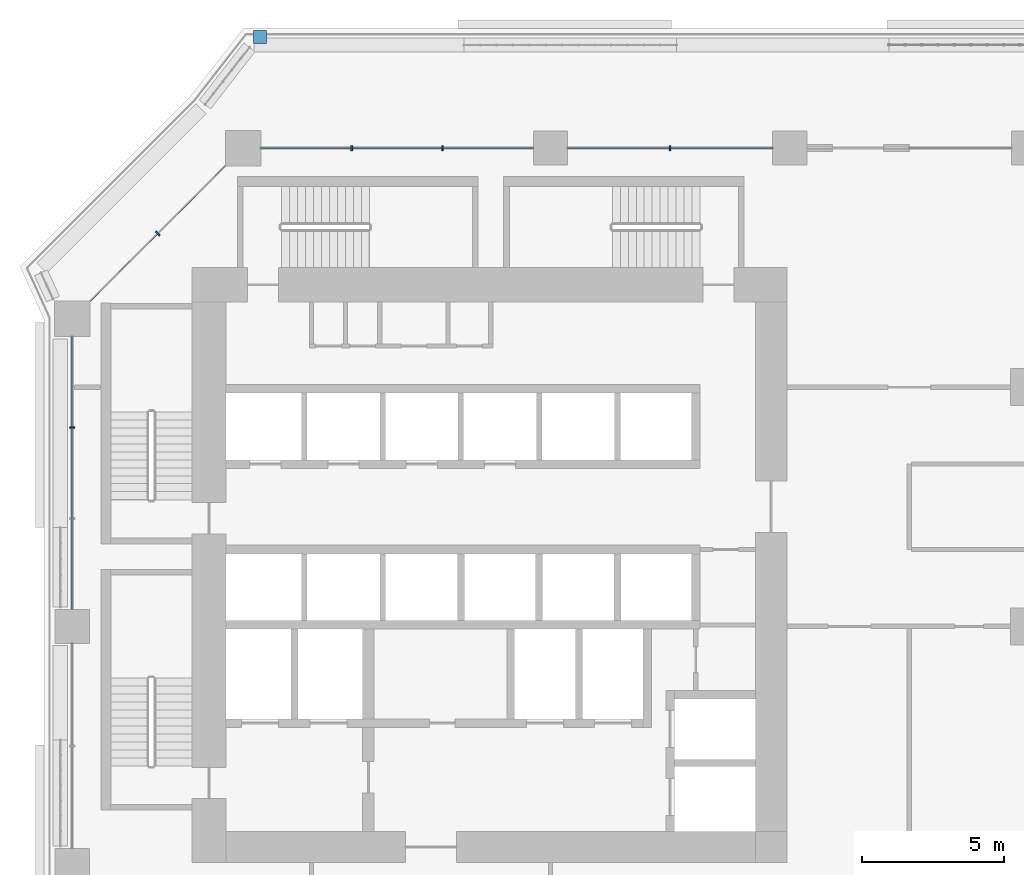
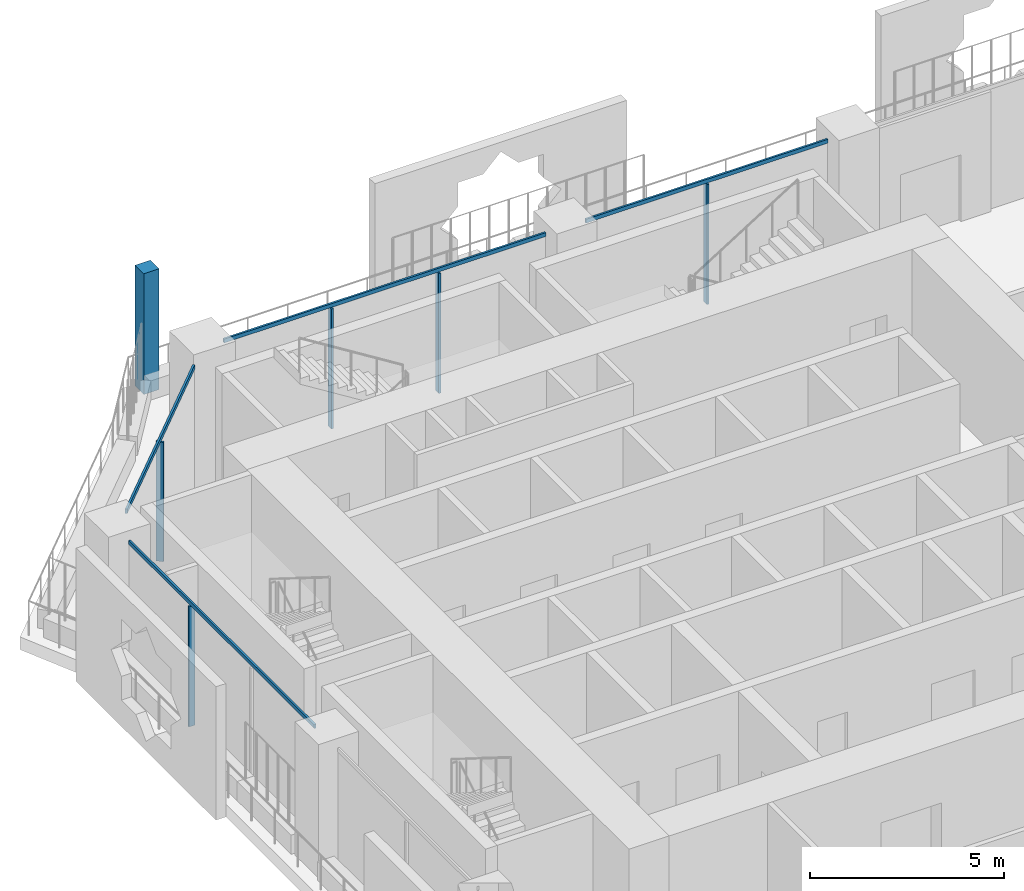
# One storey, part 8 of 28: 10 members, 4 elements without a shape of their own.
"""IFC4 building model written with IfcOpenShell, lengths in metres."""

from ifc_helpers import new_model, si_unit, direction, frame, origin, origin_2d, place, context, subcontext, project, spatial, rectangle, extrude, material, layer, layer_set, material_profile, profile_set, type_object, element, aggregate, save


model = new_model("IFC4")

# Units and contexts
model_context = context("Model", 3, precision=1e-05, world=origin(), true_north=direction((0.0, 1.0)))
body_context = subcontext(model_context, "Body", "Model", "MODEL_VIEW")
ifc_project = project(units=[si_unit("LENGTHUNIT", "METRE"), si_unit("AREAUNIT", "SQUARE_METRE"), si_unit("VOLUMEUNIT", "CUBIC_METRE"), si_unit("PLANEANGLEUNIT", "RADIAN"), si_unit("MASSUNIT", "GRAM", prefix="KILO")], contexts=[model_context])

# Site, building, storey
site_placement = place(None, origin())
site = spatial("IfcSite", under=ifc_project, at=site_placement, CompositionType="ELEMENT")
building_placement = place(site_placement, origin())
building = spatial("IfcBuilding", under=site, at=building_placement, Name="Kawkab Arch Medical Tower", CompositionType="ELEMENT")
storey_placement = place(building_placement, frame((0.0, 0.0, 56.0)))
storey = spatial("IfcBuildingStorey", under=building, at=storey_placement, Name="L12", CompositionType="ELEMENT", Elevation=56.0)

# Curtain wall, member
ifc_material_1 = material(Name="Bronze anodised aluminium curtain wall frame", Category="aluminium")
ifc_layer_1 = layer(ifc_material_1, 0.159912109375)
ifc_layer_set_1 = layer_set([ifc_layer_1], Name="Bronze anodised aluminium curtain wall frame")
curtain_wall_type_1 = type_object("IfcCurtainWallType", Name="CW1 ward curtain wall", PredefinedType="NOTDEFINED", material=ifc_layer_set_1)
placement = place(storey_placement, origin())
curtain_wall_1 = element("IfcCurtainWall", 1, at=placement, inside=storey, type_object=curtain_wall_type_1, Name="CW1 Ward curtain wall R01", PredefinedType="NOTDEFINED")
ifc_material_2 = material(Name="Bronze anodised aluminium curtain wall frame", Category="aluminium")
ifc_material_profile_1 = material_profile(ifc_material_2, rectangle(XDim=0.179931640625, YDim=0.06005859375, at=origin_2d()), Name="AL 60x180")
ifc_profile_set_1 = profile_set([ifc_material_profile_1], Name="Bronze anodised aluminium curtain wall frame")
member_type_1 = type_object("IfcMemberType", Name="CW1 mullion 60 x 180", PredefinedType="MULLION", material=ifc_profile_set_1)
member_1_placement = place(storey_placement, frame((0.0, -9.816650390625, 0.0), z_axis=(0.0, 0.0, 1.0), x_axis=(1.0, 0.0, 0.0)))
member_1 = element("IfcMember", 2, at=member_1_placement, type_object=member_type_1, Name="CW1 mullion 1.1", PredefinedType="MULLION", context=body_context, shape_type="SweptSolid", body=[
    extrude(rectangle(XDim=0.179931640625, YDim=0.06005859375, at=origin_2d()), origin(), (0.0, 0.0, 1.0), 3.780029296875),
])

# Curtain wall, members
curtain_wall_2 = element("IfcCurtainWall", 3, at=placement, inside=storey, type_object=curtain_wall_type_1, Name="CW1 Ward curtain wall R11", PredefinedType="NOTDEFINED")
member_2_placement = place(storey_placement, frame((21.0, 0.0, 0.0), z_axis=(0.0, 0.0, 1.0), x_axis=(0.0, -1.0, 0.0)))
member_2 = element("IfcMember", 4, at=member_2_placement, type_object=member_type_1, Name="CW1 mullion 7.1", PredefinedType="MULLION", context=body_context, shape_type="SweptSolid", body=[
    extrude(rectangle(XDim=0.179931640625, YDim=0.06005859375, at=origin_2d()), origin(), (0.0, 0.0, 1.0), 3.780029296875),
])
member_3_placement = place(storey_placement, frame((13.00830078125, 0.0, 0.0), z_axis=(0.0, 0.0, 1.0), x_axis=(0.0, -1.0, 0.0)))
member_3 = element("IfcMember", 5, at=member_3_placement, type_object=member_type_1, Name="CW1 mullion 8.1", PredefinedType="MULLION", context=body_context, shape_type="SweptSolid", body=[
    extrude(rectangle(XDim=0.179931640625, YDim=0.06005859375, at=origin_2d()), origin(), (0.0, 0.0, 1.0), 3.780029296875),
])
member_4_placement = place(storey_placement, frame((9.816650390625, 0.0, 0.0), z_axis=(0.0, 0.0, 1.0), x_axis=(0.0, -1.0, 0.0)))
member_4 = element("IfcMember", 6, at=member_4_placement, type_object=member_type_1, Name="CW1 mullion 8.2", PredefinedType="MULLION", context=body_context, shape_type="SweptSolid", body=[
    extrude(rectangle(XDim=0.179931640625, YDim=0.06005859375, at=origin_2d()), origin(), (0.0, 0.0, 1.0), 3.780029296875),
])

# Member
ifc_material_3 = material(Name="Bronze anodised aluminium curtain wall frame", Category="aluminium")
ifc_material_profile_2 = material_profile(ifc_material_3, rectangle(XDim=0.06005859375, YDim=0.1201171875, at=origin_2d()), Name="AL 60x120")
ifc_profile_set_2 = profile_set([ifc_material_profile_2], Name="Bronze anodised aluminium curtain wall frame")
member_type_2 = type_object("IfcMemberType", Name="CW1 transom 120 x 60", PredefinedType="USERDEFINED", material=ifc_profile_set_2)
member_5_placement = place(storey_placement, frame((0.0, -6.625, 3.840087890625), z_axis=(0.0, -1.0, 0.0), x_axis=(1.0, 0.0, 0.0)))
member_5 = element("IfcMember", 7, at=member_5_placement, type_object=member_type_2, Name="CW1 transom 1", ObjectType="TRANSOM", PredefinedType="USERDEFINED", context=body_context, shape_type="SweptSolid", body=[
    extrude(rectangle(XDim=0.06005859375, YDim=0.1201171875, at=origin_2d()), origin(), (0.0, 0.0, 1.0), 9.574951171875),
])

aggregate(curtain_wall_1, [member_5, member_1])

member_6_placement = place(storey_placement, frame((24.60009765625, 0.0, 3.840087890625), z_axis=(-1.0, 0.0, 0.0), x_axis=(0.0, -1.0, 0.0)))
member_6 = element("IfcMember", 8, at=member_6_placement, type_object=member_type_2, Name="CW1 transom 7", ObjectType="TRANSOM", PredefinedType="USERDEFINED", context=body_context, shape_type="SweptSolid", body=[
    extrude(rectangle(XDim=0.06005859375, YDim=0.1201171875, at=origin_2d()), origin(), (0.0, 0.0, 1.0), 7.2001953125),
])

member_7_placement = place(storey_placement, frame((16.199951171875, 0.0, 3.840087890625), z_axis=(-1.0, 0.0, 0.0), x_axis=(0.0, -1.0, 0.0)))
member_7 = element("IfcMember", 9, at=member_7_placement, type_object=member_type_2, Name="CW1 transom 8", ObjectType="TRANSOM", PredefinedType="USERDEFINED", context=body_context, shape_type="SweptSolid", body=[
    extrude(rectangle(XDim=0.06005859375, YDim=0.1201171875, at=origin_2d()), origin(), (0.0, 0.0, 1.0), 9.574951171875),
])

aggregate(curtain_wall_2, [member_6, member_2, member_7, member_3, member_4])

# Curtain wall, members
ifc_material_4 = material(Name="Bronze anodised aluminium curtain wall frame", Category="aluminium")
ifc_layer_2 = layer(ifc_material_4, 0.159912109375)
ifc_layer_set_2 = layer_set([ifc_layer_2], Name="Bronze anodised aluminium curtain wall frame")
curtain_wall_type_2 = type_object("IfcCurtainWallType", Name="CW2 chamfer curtain wall", PredefinedType="NOTDEFINED", material=ifc_layer_set_2)
curtain_wall_3 = element("IfcCurtainWall", 10, at=placement, inside=storey, type_object=curtain_wall_type_2, Name="CW2 Chamfer curtain wall R12", PredefinedType="NOTDEFINED")
ifc_material_5 = material(Name="Bronze anodised aluminium curtain wall frame", Category="aluminium")
ifc_material_profile_3 = material_profile(ifc_material_5, rectangle(XDim=0.199951171875, YDim=0.06005859375, at=origin_2d()), Name="AL 60x200")
ifc_profile_set_3 = profile_set([ifc_material_profile_3], Name="Bronze anodised aluminium curtain wall frame")
member_type_3 = type_object("IfcMemberType", Name="CW2 mullion 60 x 200", PredefinedType="MULLION", material=ifc_profile_set_3)
member_8_placement = place(storey_placement, frame((3.0, -3.0, 0.0), z_axis=(0.0, 0.0, 1.0), x_axis=(0.707106781187, -0.707106781187, 0.0)))
member_8 = element("IfcMember", 11, at=member_8_placement, type_object=member_type_3, Name="CW2 mullion 1.1", PredefinedType="MULLION", context=body_context, shape_type="SweptSolid", body=[
    extrude(rectangle(XDim=0.199951171875, YDim=0.06005859375, at=origin_2d()), origin(), (0.0, 0.0, 1.0), 3.760009765625),
])
ifc_material_6 = material(Name="Bronze anodised aluminium curtain wall frame", Category="aluminium")
ifc_material_profile_4 = material_profile(ifc_material_6, rectangle(XDim=0.06005859375, YDim=0.139892578125, at=origin_2d()), Name="AL 60x140")
ifc_profile_set_4 = profile_set([ifc_material_profile_4], Name="Bronze anodised aluminium curtain wall frame")
member_type_4 = type_object("IfcMemberType", Name="CW2 transom 140 x 60", PredefinedType="USERDEFINED", material=ifc_profile_set_4)
member_9_placement = place(storey_placement, frame((5.375, -0.625, 3.830078125), z_axis=(-0.707106781187, -0.707106781187, 0.0), x_axis=(0.707106781187, -0.707106781187, 0.0)))
member_9 = element("IfcMember", 12, at=member_9_placement, type_object=member_type_4, Name="CW2 transom 1", ObjectType="TRANSOM", PredefinedType="USERDEFINED", context=body_context, shape_type="SweptSolid", body=[
    extrude(rectangle(XDim=0.06005859375, YDim=0.139892578125, at=origin_2d()), origin(), (0.0, 0.0, 1.0), 6.717529296875),
])
aggregate(curtain_wall_3, [member_9, member_8])

# Curtain wall, member
ifc_material_7 = material(Name="Bronze anodised aluminium climber frame, planted", Category="aluminium")
ifc_layer_3 = layer(ifc_material_7, 0.449951171875)
ifc_layer_set_3 = layer_set([ifc_layer_3], Name="Bronze anodised aluminium climber frame, planted")
curtain_wall_type_3 = type_object("IfcCurtainWallType", Name="Planted climber frame", PredefinedType="NOTDEFINED", material=ifc_layer_set_3)
curtain_wall_4 = element("IfcCurtainWall", 13, at=placement, inside=storey, type_object=curtain_wall_type_3, Name="Planted climber frame L12", PredefinedType="NOTDEFINED")
ifc_material_8 = material(Name="Bronze anodised aluminium climber frame, planted", Category="aluminium")
ifc_material_profile_5 = material_profile(ifc_material_8, rectangle(XDim=0.449951171875, YDim=0.449951171875, at=origin_2d()), Name="Post 450x450")
ifc_profile_set_5 = profile_set([ifc_material_profile_5], Name="Bronze anodised aluminium climber frame, planted")
member_type_5 = type_object("IfcMemberType", Name="Planted climber post 450 x 450", PredefinedType="MULLION", material=ifc_profile_set_5)
member_10_placement = place(storey_placement, frame((6.596923828125, 3.89990234375, 0.0), z_axis=(0.0, 0.0, 1.0), x_axis=(1.0, 0.0, 0.0)))
member_10 = element("IfcMember", 14, at=member_10_placement, type_object=member_type_5, Name="Planted climber post L12.LOG-01-01.3", PredefinedType="MULLION", context=body_context, shape_type="SweptSolid", body=[
    extrude(rectangle(XDim=0.449951171875, YDim=0.449951171875, at=origin_2d()), origin(), (0.0, 0.0, 1.0), 3.800048828125),
])
aggregate(curtain_wall_4, [member_10])

save(model, "model.ifc")
